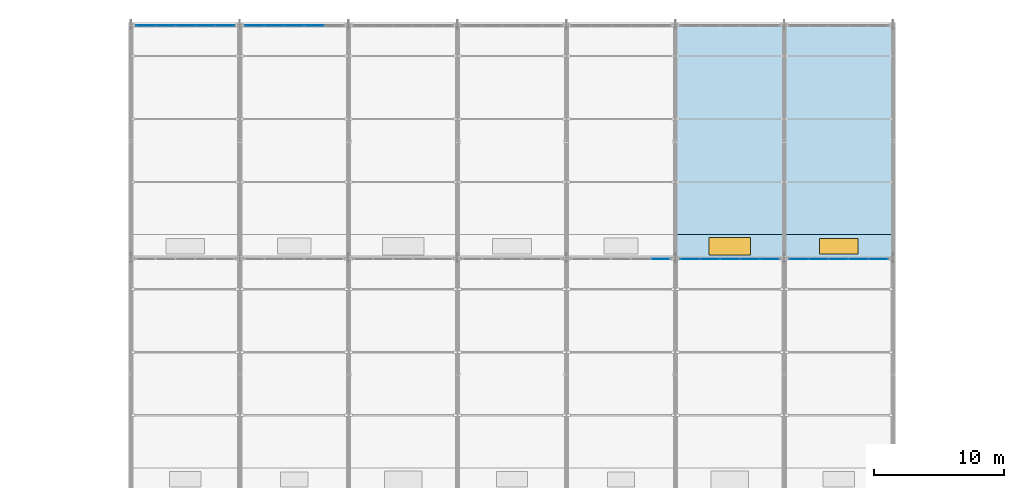
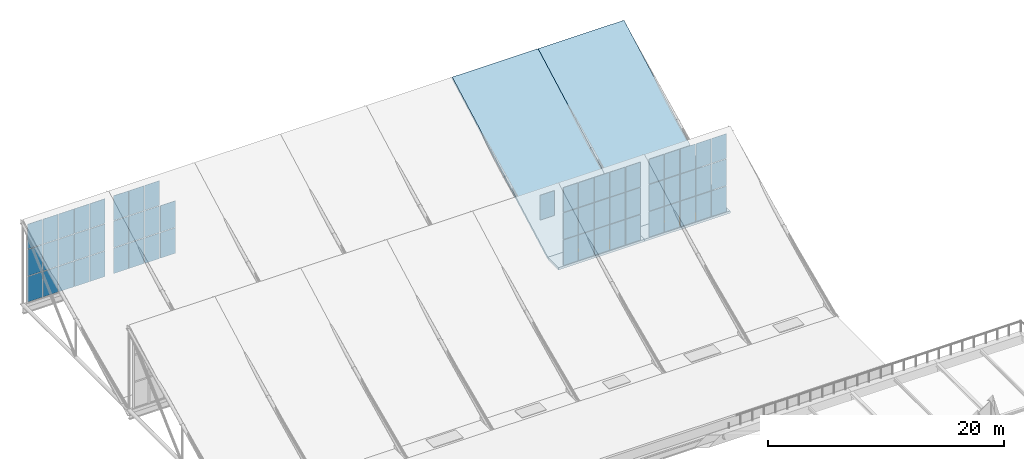
# One storey, part 31 of 38: 57 plates, 4 slabs, 2 windows, 2 openings, 5 elements without a shape of their own.
"""IFC4 building model written with IfcOpenShell, lengths in metres."""

from ifc_helpers import new_model, si_unit, direction, frame, origin, origin_2d, place, context, subcontext, project, spatial, polyline, rectangle, outline, extrude, material, layer, layer_set, type_object, element, fill, aggregate, save


model = new_model("IFC4")

# Units and contexts
model_context = context("Model", 3, precision=1e-05, world=origin(), true_north=direction((0.0, 1.0)))
body_context = subcontext(model_context, "Body", "Model", "MODEL_VIEW")
ifc_project = project(units=[si_unit("LENGTHUNIT", "METRE"), si_unit("AREAUNIT", "SQUARE_METRE"), si_unit("VOLUMEUNIT", "CUBIC_METRE"), si_unit("PLANEANGLEUNIT", "RADIAN"), si_unit("MASSUNIT", "GRAM", prefix="KILO")], contexts=[model_context])

# Site, building, storey
site_placement = place(None, origin())
site = spatial("IfcSite", under=ifc_project, at=site_placement, CompositionType="ELEMENT")
building_placement = place(site_placement, origin())
building = spatial("IfcBuilding", under=site, at=building_placement, Name="Veltarok Museum of Natural Sciences", CompositionType="ELEMENT")
storey_placement = place(building_placement, frame((0.0, 0.0, 31.199951171875)))
storey = spatial("IfcBuildingStorey", under=building, at=storey_placement, Name="RF", CompositionType="ELEMENT", Elevation=31.199951171875)

# Slab, opening, window
ifc_material_1 = material(Name="Concrete C35/45", Category="concrete")
ifc_layer_1 = layer(ifc_material_1, 0.239990234375)
ifc_layer_set_1 = layer_set([ifc_layer_1], Name="Concrete C35/45")
slab_type_1 = type_object("IfcSlabType", Name="Insulated Flat Wing Roof Slab 240", PredefinedType="ROOF", material=ifc_layer_set_1)
slab_1_placement = place(storey_placement, frame((0.0, 0.0, -6.0400390625)))
slab_1 = element("IfcSlab", 1, at=slab_1_placement, inside=storey, type_object=slab_type_1, Name="Sawtooth Valley Apron Slab 10-11 M2", PredefinedType="ROOF", context=body_context, shape_type="SweptSolid", body=[
    extrude(outline(polyline([(82.0, 54.0), (90.39990234375, 54.0), (90.39990234375, 55.800048828125), (82.0, 55.800048828125), (82.0, 54.0)])), origin(), (0.0, 0.0, 1.0), 0.239990234375),
])
opening_1_placement = place(slab_1_placement, frame((86.199951171875, 54.89990234375, -0.010009765625)))
opening_1 = element("IfcOpeningElement", 2, at=opening_1_placement, cuts=slab_1, Name="Opening SK-12", PredefinedType="OPENING", context=body_context, shape_type="SweptSolid", body=[
    extrude(rectangle(XDim=3.199951171875, YDim=1.35009765625, at=origin_2d()), origin(), (0.0, 0.0, 1.0), 0.320068359375),
])
ifc_material_2 = material(Name="Low-iron triple insulated glass", Category="glass")
window_type_1 = type_object("IfcWindowType", Name="Sawtooth Gallery Rooflight 3200x1350", PartitioningType="SINGLE_PANEL", PredefinedType="SKYLIGHT", material=ifc_material_2)
window_1_placement = place(slab_1_placement, frame((86.199951171875, 54.89990234375, 0.239990234375)))
window_1 = element("IfcWindow", 3, at=window_1_placement, inside=storey, type_object=window_type_1, Name="Sawtooth North Rooflight SK-12", OverallHeight=1.35009765625, OverallWidth=3.199951171875, PartitioningType="SINGLE_PANEL", PredefinedType="SKYLIGHT", context=body_context, shape_type="SweptSolid", body=[
    extrude(rectangle(XDim=3.199951171875, YDim=1.35009765625, at=origin_2d()), origin(), (0.0, 0.0, 1.0), 0.06005859375),
])
fill(opening_1, window_1)

slab_2_placement = place(storey_placement, frame((0.0, 0.0, -6.0400390625)))
slab_2 = element("IfcSlab", 4, at=slab_2_placement, inside=storey, type_object=slab_type_1, Name="Sawtooth Valley Apron Slab 11-12 M2", PredefinedType="ROOF", context=body_context, shape_type="SweptSolid", body=[
    extrude(outline(polyline([(90.39990234375, 54.0), (98.800048828125, 54.0), (98.800048828125, 55.800048828125), (90.39990234375, 55.800048828125), (90.39990234375, 54.0)])), origin(), (0.0, 0.0, 1.0), 0.239990234375),
])
opening_2_placement = place(slab_2_placement, frame((94.60009765625, 54.89990234375, -0.010009765625)))
opening_2 = element("IfcOpeningElement", 5, at=opening_2_placement, cuts=slab_2, Name="Opening SK-14", PredefinedType="OPENING", context=body_context, shape_type="SweptSolid", body=[
    extrude(rectangle(XDim=3.0, YDim=1.199951171875, at=origin_2d()), origin(), (0.0, 0.0, 1.0), 0.320068359375),
])
window_type_2 = type_object("IfcWindowType", Name="Sawtooth Atrium North Rooflight 3000x1200", PartitioningType="SINGLE_PANEL", PredefinedType="SKYLIGHT", material=ifc_material_2)
window_2_placement = place(slab_2_placement, frame((94.60009765625, 54.89990234375, 0.239990234375)))
window_2 = element("IfcWindow", 6, at=window_2_placement, inside=storey, type_object=window_type_2, Name="Sawtooth North Rooflight SK-14", OverallHeight=1.199951171875, OverallWidth=3.0, PartitioningType="SINGLE_PANEL", PredefinedType="SKYLIGHT", context=body_context, shape_type="SweptSolid", body=[
    extrude(rectangle(XDim=3.0, YDim=1.199951171875, at=origin_2d()), origin(), (0.0, 0.0, 1.0), 0.06005859375),
])
fill(opening_2, window_2)

# Curtain wall, plates
curtain_wall_type_1 = type_object("IfcCurtainWallType", Name="Curtain Wall System CW-SAW-M2-768x817 (Sawtooth North Clerestory M2 768x817cm)", PredefinedType="NOTDEFINED", material=ifc_material_2)
curtain_wall_1_placement = place(storey_placement, origin())
curtain_wall_1 = element("IfcCurtainWall", 7, at=curtain_wall_1_placement, inside=storey, type_object=curtain_wall_type_1, Name="Curtain Wall CW-SAW-M2-768x817 CW-SAW-0073", PredefinedType="NOTDEFINED")
ifc_layer_2 = layer(ifc_material_2, 0.031982421875)
ifc_layer_set_2 = layer_set([ifc_layer_2], Name="Low-iron triple insulated glass")
plate_type = type_object("IfcPlateType", Name="North-Light Diffusing Triple Glazed Panel 32", PredefinedType="CURTAIN_PANEL", material=ifc_layer_set_2)
plate_1_placement = place(storey_placement, frame((47.257080078125, 71.919921875, -5.659912109375), z_axis=(0.0, 0.0, 1.0), x_axis=(-1.0, 0.0, 0.0)))
plate_1 = element("IfcPlate", 8, at=plate_1_placement, type_object=plate_type, Name="CW-SAW-M2-768x817 panel 1.1", PredefinedType="CURTAIN_PANEL", context=body_context, shape_type="SweptSolid", body=[
    extrude(rectangle(XDim=1.446044921875, YDim=0.031982421875, at=origin_2d()), origin(), (0.0, 0.0, 1.0), 2.6298828125),
])
plate_2_placement = place(storey_placement, frame((47.257080078125, 71.919921875, -2.9697265625), z_axis=(0.0, 0.0, 1.0), x_axis=(-1.0, 0.0, 0.0)))
plate_2 = element("IfcPlate", 9, at=plate_2_placement, type_object=plate_type, Name="CW-SAW-M2-768x817 panel 1.2", PredefinedType="CURTAIN_PANEL", context=body_context, shape_type="SweptSolid", body=[
    extrude(rectangle(XDim=1.446044921875, YDim=0.031982421875, at=origin_2d()), origin(), (0.0, 0.0, 1.0), 2.739990234375),
])
plate_3_placement = place(storey_placement, frame((47.257080078125, 71.919921875, -0.169921875), z_axis=(0.0, 0.0, 1.0), x_axis=(-1.0, 0.0, 0.0)))
plate_3 = element("IfcPlate", 10, at=plate_3_placement, type_object=plate_type, Name="CW-SAW-M2-768x817 panel 1.3", PredefinedType="CURTAIN_PANEL", context=body_context, shape_type="SweptSolid", body=[
    extrude(rectangle(XDim=1.446044921875, YDim=0.031982421875, at=origin_2d()), origin(), (0.0, 0.0, 1.0), 2.56005859375),
])
plate_4_placement = place(storey_placement, frame((45.736083984375, 71.919921875, -5.659912109375), z_axis=(0.0, 0.0, 1.0), x_axis=(-1.0, 0.0, 0.0)))
plate_4 = element("IfcPlate", 11, at=plate_4_placement, type_object=plate_type, Name="CW-SAW-M2-768x817 panel 2.1", PredefinedType="CURTAIN_PANEL", context=body_context, shape_type="SweptSolid", body=[
    extrude(rectangle(XDim=1.47607421875, YDim=0.031982421875, at=origin_2d()), origin(), (0.0, 0.0, 1.0), 2.6298828125),
])
plate_5_placement = place(storey_placement, frame((45.736083984375, 71.919921875, -2.9697265625), z_axis=(0.0, 0.0, 1.0), x_axis=(-1.0, 0.0, 0.0)))
plate_5 = element("IfcPlate", 12, at=plate_5_placement, type_object=plate_type, Name="CW-SAW-M2-768x817 panel 2.2", PredefinedType="CURTAIN_PANEL", context=body_context, shape_type="SweptSolid", body=[
    extrude(rectangle(XDim=1.47607421875, YDim=0.031982421875, at=origin_2d()), origin(), (0.0, 0.0, 1.0), 2.739990234375),
])
plate_6_placement = place(storey_placement, frame((45.736083984375, 71.919921875, -0.169921875), z_axis=(0.0, 0.0, 1.0), x_axis=(-1.0, 0.0, 0.0)))
plate_6 = element("IfcPlate", 13, at=plate_6_placement, type_object=plate_type, Name="CW-SAW-M2-768x817 panel 2.3", PredefinedType="CURTAIN_PANEL", context=body_context, shape_type="SweptSolid", body=[
    extrude(rectangle(XDim=1.47607421875, YDim=0.031982421875, at=origin_2d()), origin(), (0.0, 0.0, 1.0), 2.56005859375),
])
plate_7_placement = place(storey_placement, frame((44.199951171875, 71.919921875, -5.659912109375), z_axis=(0.0, 0.0, 1.0), x_axis=(-1.0, 0.0, 0.0)))
plate_7 = element("IfcPlate", 14, at=plate_7_placement, type_object=plate_type, Name="CW-SAW-M2-768x817 panel 3.1", PredefinedType="CURTAIN_PANEL", context=body_context, shape_type="SweptSolid", body=[
    extrude(rectangle(XDim=1.47607421875, YDim=0.031982421875, at=origin_2d()), origin(), (0.0, 0.0, 1.0), 2.6298828125),
])
plate_8_placement = place(storey_placement, frame((44.199951171875, 71.919921875, -2.9697265625), z_axis=(0.0, 0.0, 1.0), x_axis=(-1.0, 0.0, 0.0)))
plate_8 = element("IfcPlate", 15, at=plate_8_placement, type_object=plate_type, Name="CW-SAW-M2-768x817 panel 3.2", PredefinedType="CURTAIN_PANEL", context=body_context, shape_type="SweptSolid", body=[
    extrude(rectangle(XDim=1.47607421875, YDim=0.031982421875, at=origin_2d()), origin(), (0.0, 0.0, 1.0), 2.739990234375),
])
plate_9_placement = place(storey_placement, frame((44.199951171875, 71.919921875, -0.169921875), z_axis=(0.0, 0.0, 1.0), x_axis=(-1.0, 0.0, 0.0)))
plate_9 = element("IfcPlate", 16, at=plate_9_placement, type_object=plate_type, Name="CW-SAW-M2-768x817 panel 3.3", PredefinedType="CURTAIN_PANEL", context=body_context, shape_type="SweptSolid", body=[
    extrude(rectangle(XDim=1.47607421875, YDim=0.031982421875, at=origin_2d()), origin(), (0.0, 0.0, 1.0), 2.56005859375),
])
plate_10_placement = place(storey_placement, frame((42.6640625, 71.919921875, -5.659912109375), z_axis=(0.0, 0.0, 1.0), x_axis=(-1.0, 0.0, 0.0)))
plate_10 = element("IfcPlate", 17, at=plate_10_placement, type_object=plate_type, Name="CW-SAW-M2-768x817 panel 4.1", PredefinedType="CURTAIN_PANEL", context=body_context, shape_type="SweptSolid", body=[
    extrude(rectangle(XDim=1.47607421875, YDim=0.031982421875, at=origin_2d()), origin(), (0.0, 0.0, 1.0), 2.6298828125),
])
plate_11_placement = place(storey_placement, frame((42.6640625, 71.919921875, -2.9697265625), z_axis=(0.0, 0.0, 1.0), x_axis=(-1.0, 0.0, 0.0)))
plate_11 = element("IfcPlate", 18, at=plate_11_placement, type_object=plate_type, Name="CW-SAW-M2-768x817 panel 4.2", PredefinedType="CURTAIN_PANEL", context=body_context, shape_type="SweptSolid", body=[
    extrude(rectangle(XDim=1.47607421875, YDim=0.031982421875, at=origin_2d()), origin(), (0.0, 0.0, 1.0), 2.739990234375),
])
plate_12_placement = place(storey_placement, frame((42.6640625, 71.919921875, -0.169921875), z_axis=(0.0, 0.0, 1.0), x_axis=(-1.0, 0.0, 0.0)))
plate_12 = element("IfcPlate", 19, at=plate_12_placement, type_object=plate_type, Name="CW-SAW-M2-768x817 panel 4.3", PredefinedType="CURTAIN_PANEL", context=body_context, shape_type="SweptSolid", body=[
    extrude(rectangle(XDim=1.47607421875, YDim=0.031982421875, at=origin_2d()), origin(), (0.0, 0.0, 1.0), 2.56005859375),
])
plate_13_placement = place(storey_placement, frame((41.14306640625, 71.919921875, -5.659912109375), z_axis=(0.0, 0.0, 1.0), x_axis=(-1.0, 0.0, 0.0)))
plate_13 = element("IfcPlate", 20, at=plate_13_placement, type_object=plate_type, Name="CW-SAW-M2-768x817 panel 5.1", PredefinedType="CURTAIN_PANEL", context=body_context, shape_type="SweptSolid", body=[
    extrude(rectangle(XDim=1.446044921875, YDim=0.031982421875, at=origin_2d()), origin(), (0.0, 0.0, 1.0), 2.6298828125),
])
plate_14_placement = place(storey_placement, frame((41.14306640625, 71.919921875, -2.9697265625), z_axis=(0.0, 0.0, 1.0), x_axis=(-1.0, 0.0, 0.0)))
plate_14 = element("IfcPlate", 21, at=plate_14_placement, type_object=plate_type, Name="CW-SAW-M2-768x817 panel 5.2", PredefinedType="CURTAIN_PANEL", context=body_context, shape_type="SweptSolid", body=[
    extrude(rectangle(XDim=1.446044921875, YDim=0.031982421875, at=origin_2d()), origin(), (0.0, 0.0, 1.0), 2.739990234375),
])
plate_15_placement = place(storey_placement, frame((41.14306640625, 71.919921875, -0.169921875), z_axis=(0.0, 0.0, 1.0), x_axis=(-1.0, 0.0, 0.0)))
plate_15 = element("IfcPlate", 22, at=plate_15_placement, type_object=plate_type, Name="CW-SAW-M2-768x817 panel 5.3", PredefinedType="CURTAIN_PANEL", context=body_context, shape_type="SweptSolid", body=[
    extrude(rectangle(XDim=1.446044921875, YDim=0.031982421875, at=origin_2d()), origin(), (0.0, 0.0, 1.0), 2.56005859375),
])
aggregate(curtain_wall_1, [plate_1, plate_2, plate_3, plate_4, plate_5, plate_6, plate_7, plate_8, plate_9, plate_10, plate_11, plate_12, plate_13, plate_14, plate_15])

curtain_wall_2_placement = place(storey_placement, origin())
curtain_wall_2 = element("IfcCurtainWall", 23, at=curtain_wall_2_placement, inside=storey, type_object=curtain_wall_type_1, Name="Curtain Wall CW-SAW-M2-768x817 CW-SAW-0075", PredefinedType="NOTDEFINED")
plate_16_placement = place(storey_placement, frame((54.135986328125, 71.919921875, -5.659912109375), z_axis=(0.0, 0.0, 1.0), x_axis=(-1.0, 0.0, 0.0)))
plate_16 = element("IfcPlate", 24, at=plate_16_placement, type_object=plate_type, Name="CW-SAW-M2-768x817 panel 2.1", PredefinedType="CURTAIN_PANEL", context=body_context, shape_type="SweptSolid", body=[
    extrude(rectangle(XDim=1.47607421875, YDim=0.031982421875, at=origin_2d()), origin(), (0.0, 0.0, 1.0), 2.6298828125),
])
plate_17_placement = place(storey_placement, frame((54.135986328125, 71.919921875, -2.9697265625), z_axis=(0.0, 0.0, 1.0), x_axis=(-1.0, 0.0, 0.0)))
plate_17 = element("IfcPlate", 25, at=plate_17_placement, type_object=plate_type, Name="CW-SAW-M2-768x817 panel 2.2", PredefinedType="CURTAIN_PANEL", context=body_context, shape_type="SweptSolid", body=[
    extrude(rectangle(XDim=1.47607421875, YDim=0.031982421875, at=origin_2d()), origin(), (0.0, 0.0, 1.0), 2.739990234375),
])
plate_18_placement = place(storey_placement, frame((52.60009765625, 71.919921875, -5.659912109375), z_axis=(0.0, 0.0, 1.0), x_axis=(-1.0, 0.0, 0.0)))
plate_18 = element("IfcPlate", 26, at=plate_18_placement, type_object=plate_type, Name="CW-SAW-M2-768x817 panel 3.1", PredefinedType="CURTAIN_PANEL", context=body_context, shape_type="SweptSolid", body=[
    extrude(rectangle(XDim=1.47607421875, YDim=0.031982421875, at=origin_2d()), origin(), (0.0, 0.0, 1.0), 2.6298828125),
])
plate_19_placement = place(storey_placement, frame((52.60009765625, 71.919921875, -2.9697265625), z_axis=(0.0, 0.0, 1.0), x_axis=(-1.0, 0.0, 0.0)))
plate_19 = element("IfcPlate", 27, at=plate_19_placement, type_object=plate_type, Name="CW-SAW-M2-768x817 panel 3.2", PredefinedType="CURTAIN_PANEL", context=body_context, shape_type="SweptSolid", body=[
    extrude(rectangle(XDim=1.47607421875, YDim=0.031982421875, at=origin_2d()), origin(), (0.0, 0.0, 1.0), 2.739990234375),
])
plate_20_placement = place(storey_placement, frame((52.60009765625, 71.919921875, -0.169921875), z_axis=(0.0, 0.0, 1.0), x_axis=(-1.0, 0.0, 0.0)))
plate_20 = element("IfcPlate", 28, at=plate_20_placement, type_object=plate_type, Name="CW-SAW-M2-768x817 panel 3.3", PredefinedType="CURTAIN_PANEL", context=body_context, shape_type="SweptSolid", body=[
    extrude(rectangle(XDim=1.47607421875, YDim=0.031982421875, at=origin_2d()), origin(), (0.0, 0.0, 1.0), 2.56005859375),
])
plate_21_placement = place(storey_placement, frame((51.06396484375, 71.919921875, -5.659912109375), z_axis=(0.0, 0.0, 1.0), x_axis=(-1.0, 0.0, 0.0)))
plate_21 = element("IfcPlate", 29, at=plate_21_placement, type_object=plate_type, Name="CW-SAW-M2-768x817 panel 4.1", PredefinedType="CURTAIN_PANEL", context=body_context, shape_type="SweptSolid", body=[
    extrude(rectangle(XDim=1.47607421875, YDim=0.031982421875, at=origin_2d()), origin(), (0.0, 0.0, 1.0), 2.6298828125),
])
plate_22_placement = place(storey_placement, frame((51.06396484375, 71.919921875, -2.9697265625), z_axis=(0.0, 0.0, 1.0), x_axis=(-1.0, 0.0, 0.0)))
plate_22 = element("IfcPlate", 30, at=plate_22_placement, type_object=plate_type, Name="CW-SAW-M2-768x817 panel 4.2", PredefinedType="CURTAIN_PANEL", context=body_context, shape_type="SweptSolid", body=[
    extrude(rectangle(XDim=1.47607421875, YDim=0.031982421875, at=origin_2d()), origin(), (0.0, 0.0, 1.0), 2.739990234375),
])
plate_23_placement = place(storey_placement, frame((51.06396484375, 71.919921875, -0.169921875), z_axis=(0.0, 0.0, 1.0), x_axis=(-1.0, 0.0, 0.0)))
plate_23 = element("IfcPlate", 31, at=plate_23_placement, type_object=plate_type, Name="CW-SAW-M2-768x817 panel 4.3", PredefinedType="CURTAIN_PANEL", context=body_context, shape_type="SweptSolid", body=[
    extrude(rectangle(XDim=1.47607421875, YDim=0.031982421875, at=origin_2d()), origin(), (0.0, 0.0, 1.0), 2.56005859375),
])
plate_24_placement = place(storey_placement, frame((49.54296875, 71.919921875, -5.659912109375), z_axis=(0.0, 0.0, 1.0), x_axis=(-1.0, 0.0, 0.0)))
plate_24 = element("IfcPlate", 32, at=plate_24_placement, type_object=plate_type, Name="CW-SAW-M2-768x817 panel 5.1", PredefinedType="CURTAIN_PANEL", context=body_context, shape_type="SweptSolid", body=[
    extrude(rectangle(XDim=1.446044921875, YDim=0.031982421875, at=origin_2d()), origin(), (0.0, 0.0, 1.0), 2.6298828125),
])
plate_25_placement = place(storey_placement, frame((49.54296875, 71.919921875, -2.9697265625), z_axis=(0.0, 0.0, 1.0), x_axis=(-1.0, 0.0, 0.0)))
plate_25 = element("IfcPlate", 33, at=plate_25_placement, type_object=plate_type, Name="CW-SAW-M2-768x817 panel 5.2", PredefinedType="CURTAIN_PANEL", context=body_context, shape_type="SweptSolid", body=[
    extrude(rectangle(XDim=1.446044921875, YDim=0.031982421875, at=origin_2d()), origin(), (0.0, 0.0, 1.0), 2.739990234375),
])
plate_26_placement = place(storey_placement, frame((49.54296875, 71.919921875, -0.169921875), z_axis=(0.0, 0.0, 1.0), x_axis=(-1.0, 0.0, 0.0)))
plate_26 = element("IfcPlate", 34, at=plate_26_placement, type_object=plate_type, Name="CW-SAW-M2-768x817 panel 5.3", PredefinedType="CURTAIN_PANEL", context=body_context, shape_type="SweptSolid", body=[
    extrude(rectangle(XDim=1.446044921875, YDim=0.031982421875, at=origin_2d()), origin(), (0.0, 0.0, 1.0), 2.56005859375),
])
aggregate(curtain_wall_2, [plate_16, plate_17, plate_18, plate_19, plate_20, plate_21, plate_22, plate_23, plate_24, plate_25, plate_26])

# Curtain wall, plate
curtain_wall_type_2 = type_object("IfcCurtainWallType", Name="Curtain Wall System CW-SAW-M1-768x817 (Sawtooth North Clerestory M1 768x817cm)", PredefinedType="NOTDEFINED", material=ifc_material_2)
curtain_wall_3_placement = place(storey_placement, origin())
curtain_wall_3 = element("IfcCurtainWall", 35, at=curtain_wall_3_placement, inside=storey, type_object=curtain_wall_type_2, Name="Curtain Wall CW-SAW-M1-768x817 CW-SAW-0080", PredefinedType="NOTDEFINED")
plate_27_placement = place(storey_placement, frame((80.85693359375, 53.919921875, -0.169921875), z_axis=(0.0, 0.0, 1.0), x_axis=(-1.0, 0.0, 0.0)))
plate_27 = element("IfcPlate", 36, at=plate_27_placement, type_object=plate_type, Name="CW-SAW-M1-768x817 panel 1.3", PredefinedType="CURTAIN_PANEL", context=body_context, shape_type="SweptSolid", body=[
    extrude(rectangle(XDim=1.446044921875, YDim=0.031982421875, at=origin_2d()), origin(), (0.0, 0.0, 1.0), 2.56005859375),
])
aggregate(curtain_wall_3, [plate_27])

# Curtain wall, plates
curtain_wall_4_placement = place(storey_placement, origin())
curtain_wall_4 = element("IfcCurtainWall", 37, at=curtain_wall_4_placement, inside=storey, type_object=curtain_wall_type_2, Name="Curtain Wall CW-SAW-M1-768x817 CW-SAW-0082", PredefinedType="NOTDEFINED")
plate_28_placement = place(storey_placement, frame((89.257080078125, 53.919921875, -5.659912109375), z_axis=(0.0, 0.0, 1.0), x_axis=(-1.0, 0.0, 0.0)))
plate_28 = element("IfcPlate", 38, at=plate_28_placement, type_object=plate_type, Name="CW-SAW-M1-768x817 panel 1.1", PredefinedType="CURTAIN_PANEL", context=body_context, shape_type="SweptSolid", body=[
    extrude(rectangle(XDim=1.446044921875, YDim=0.031982421875, at=origin_2d()), origin(), (0.0, 0.0, 1.0), 2.6298828125),
])
plate_29_placement = place(storey_placement, frame((89.257080078125, 53.919921875, -2.9697265625), z_axis=(0.0, 0.0, 1.0), x_axis=(-1.0, 0.0, 0.0)))
plate_29 = element("IfcPlate", 39, at=plate_29_placement, type_object=plate_type, Name="CW-SAW-M1-768x817 panel 1.2", PredefinedType="CURTAIN_PANEL", context=body_context, shape_type="SweptSolid", body=[
    extrude(rectangle(XDim=1.446044921875, YDim=0.031982421875, at=origin_2d()), origin(), (0.0, 0.0, 1.0), 2.739990234375),
])
plate_30_placement = place(storey_placement, frame((89.257080078125, 53.919921875, -0.169921875), z_axis=(0.0, 0.0, 1.0), x_axis=(-1.0, 0.0, 0.0)))
plate_30 = element("IfcPlate", 40, at=plate_30_placement, type_object=plate_type, Name="CW-SAW-M1-768x817 panel 1.3", PredefinedType="CURTAIN_PANEL", context=body_context, shape_type="SweptSolid", body=[
    extrude(rectangle(XDim=1.446044921875, YDim=0.031982421875, at=origin_2d()), origin(), (0.0, 0.0, 1.0), 2.56005859375),
])
plate_31_placement = place(storey_placement, frame((87.736083984375, 53.919921875, -5.659912109375), z_axis=(0.0, 0.0, 1.0), x_axis=(-1.0, 0.0, 0.0)))
plate_31 = element("IfcPlate", 41, at=plate_31_placement, type_object=plate_type, Name="CW-SAW-M1-768x817 panel 2.1", PredefinedType="CURTAIN_PANEL", context=body_context, shape_type="SweptSolid", body=[
    extrude(rectangle(XDim=1.47607421875, YDim=0.031982421875, at=origin_2d()), origin(), (0.0, 0.0, 1.0), 2.6298828125),
])
plate_32_placement = place(storey_placement, frame((87.736083984375, 53.919921875, -2.9697265625), z_axis=(0.0, 0.0, 1.0), x_axis=(-1.0, 0.0, 0.0)))
plate_32 = element("IfcPlate", 42, at=plate_32_placement, type_object=plate_type, Name="CW-SAW-M1-768x817 panel 2.2", PredefinedType="CURTAIN_PANEL", context=body_context, shape_type="SweptSolid", body=[
    extrude(rectangle(XDim=1.47607421875, YDim=0.031982421875, at=origin_2d()), origin(), (0.0, 0.0, 1.0), 2.739990234375),
])
plate_33_placement = place(storey_placement, frame((87.736083984375, 53.919921875, -0.169921875), z_axis=(0.0, 0.0, 1.0), x_axis=(-1.0, 0.0, 0.0)))
plate_33 = element("IfcPlate", 43, at=plate_33_placement, type_object=plate_type, Name="CW-SAW-M1-768x817 panel 2.3", PredefinedType="CURTAIN_PANEL", context=body_context, shape_type="SweptSolid", body=[
    extrude(rectangle(XDim=1.47607421875, YDim=0.031982421875, at=origin_2d()), origin(), (0.0, 0.0, 1.0), 2.56005859375),
])
plate_34_placement = place(storey_placement, frame((86.199951171875, 53.919921875, -5.659912109375), z_axis=(0.0, 0.0, 1.0), x_axis=(-1.0, 0.0, 0.0)))
plate_34 = element("IfcPlate", 44, at=plate_34_placement, type_object=plate_type, Name="CW-SAW-M1-768x817 panel 3.1", PredefinedType="CURTAIN_PANEL", context=body_context, shape_type="SweptSolid", body=[
    extrude(rectangle(XDim=1.47607421875, YDim=0.031982421875, at=origin_2d()), origin(), (0.0, 0.0, 1.0), 2.6298828125),
])
plate_35_placement = place(storey_placement, frame((86.199951171875, 53.919921875, -2.9697265625), z_axis=(0.0, 0.0, 1.0), x_axis=(-1.0, 0.0, 0.0)))
plate_35 = element("IfcPlate", 45, at=plate_35_placement, type_object=plate_type, Name="CW-SAW-M1-768x817 panel 3.2", PredefinedType="CURTAIN_PANEL", context=body_context, shape_type="SweptSolid", body=[
    extrude(rectangle(XDim=1.47607421875, YDim=0.031982421875, at=origin_2d()), origin(), (0.0, 0.0, 1.0), 2.739990234375),
])
plate_36_placement = place(storey_placement, frame((86.199951171875, 53.919921875, -0.169921875), z_axis=(0.0, 0.0, 1.0), x_axis=(-1.0, 0.0, 0.0)))
plate_36 = element("IfcPlate", 46, at=plate_36_placement, type_object=plate_type, Name="CW-SAW-M1-768x817 panel 3.3", PredefinedType="CURTAIN_PANEL", context=body_context, shape_type="SweptSolid", body=[
    extrude(rectangle(XDim=1.47607421875, YDim=0.031982421875, at=origin_2d()), origin(), (0.0, 0.0, 1.0), 2.56005859375),
])
plate_37_placement = place(storey_placement, frame((84.6640625, 53.919921875, -5.659912109375), z_axis=(0.0, 0.0, 1.0), x_axis=(-1.0, 0.0, 0.0)))
plate_37 = element("IfcPlate", 47, at=plate_37_placement, type_object=plate_type, Name="CW-SAW-M1-768x817 panel 4.1", PredefinedType="CURTAIN_PANEL", context=body_context, shape_type="SweptSolid", body=[
    extrude(rectangle(XDim=1.47607421875, YDim=0.031982421875, at=origin_2d()), origin(), (0.0, 0.0, 1.0), 2.6298828125),
])
plate_38_placement = place(storey_placement, frame((84.6640625, 53.919921875, -2.9697265625), z_axis=(0.0, 0.0, 1.0), x_axis=(-1.0, 0.0, 0.0)))
plate_38 = element("IfcPlate", 48, at=plate_38_placement, type_object=plate_type, Name="CW-SAW-M1-768x817 panel 4.2", PredefinedType="CURTAIN_PANEL", context=body_context, shape_type="SweptSolid", body=[
    extrude(rectangle(XDim=1.47607421875, YDim=0.031982421875, at=origin_2d()), origin(), (0.0, 0.0, 1.0), 2.739990234375),
])
plate_39_placement = place(storey_placement, frame((84.6640625, 53.919921875, -0.169921875), z_axis=(0.0, 0.0, 1.0), x_axis=(-1.0, 0.0, 0.0)))
plate_39 = element("IfcPlate", 49, at=plate_39_placement, type_object=plate_type, Name="CW-SAW-M1-768x817 panel 4.3", PredefinedType="CURTAIN_PANEL", context=body_context, shape_type="SweptSolid", body=[
    extrude(rectangle(XDim=1.47607421875, YDim=0.031982421875, at=origin_2d()), origin(), (0.0, 0.0, 1.0), 2.56005859375),
])
plate_40_placement = place(storey_placement, frame((83.14306640625, 53.919921875, -5.659912109375), z_axis=(0.0, 0.0, 1.0), x_axis=(-1.0, 0.0, 0.0)))
plate_40 = element("IfcPlate", 50, at=plate_40_placement, type_object=plate_type, Name="CW-SAW-M1-768x817 panel 5.1", PredefinedType="CURTAIN_PANEL", context=body_context, shape_type="SweptSolid", body=[
    extrude(rectangle(XDim=1.446044921875, YDim=0.031982421875, at=origin_2d()), origin(), (0.0, 0.0, 1.0), 2.6298828125),
])
plate_41_placement = place(storey_placement, frame((83.14306640625, 53.919921875, -2.9697265625), z_axis=(0.0, 0.0, 1.0), x_axis=(-1.0, 0.0, 0.0)))
plate_41 = element("IfcPlate", 51, at=plate_41_placement, type_object=plate_type, Name="CW-SAW-M1-768x817 panel 5.2", PredefinedType="CURTAIN_PANEL", context=body_context, shape_type="SweptSolid", body=[
    extrude(rectangle(XDim=1.446044921875, YDim=0.031982421875, at=origin_2d()), origin(), (0.0, 0.0, 1.0), 2.739990234375),
])
plate_42_placement = place(storey_placement, frame((83.14306640625, 53.919921875, -0.169921875), z_axis=(0.0, 0.0, 1.0), x_axis=(-1.0, 0.0, 0.0)))
plate_42 = element("IfcPlate", 52, at=plate_42_placement, type_object=plate_type, Name="CW-SAW-M1-768x817 panel 5.3", PredefinedType="CURTAIN_PANEL", context=body_context, shape_type="SweptSolid", body=[
    extrude(rectangle(XDim=1.446044921875, YDim=0.031982421875, at=origin_2d()), origin(), (0.0, 0.0, 1.0), 2.56005859375),
])
aggregate(curtain_wall_4, [plate_28, plate_29, plate_30, plate_31, plate_32, plate_33, plate_34, plate_35, plate_36, plate_37, plate_38, plate_39, plate_40, plate_41, plate_42])

curtain_wall_5_placement = place(storey_placement, origin())
curtain_wall_5 = element("IfcCurtainWall", 53, at=curtain_wall_5_placement, inside=storey, type_object=curtain_wall_type_2, Name="Curtain Wall CW-SAW-M1-768x817 CW-SAW-0084", PredefinedType="NOTDEFINED")
plate_43_placement = place(storey_placement, frame((97.656982421875, 53.919921875, -5.659912109375), z_axis=(0.0, 0.0, 1.0), x_axis=(-1.0, 0.0, 0.0)))
plate_43 = element("IfcPlate", 54, at=plate_43_placement, type_object=plate_type, Name="CW-SAW-M1-768x817 panel 1.1", PredefinedType="CURTAIN_PANEL", context=body_context, shape_type="SweptSolid", body=[
    extrude(rectangle(XDim=1.446044921875, YDim=0.031982421875, at=origin_2d()), origin(), (0.0, 0.0, 1.0), 2.6298828125),
])
plate_44_placement = place(storey_placement, frame((97.656982421875, 53.919921875, -2.9697265625), z_axis=(0.0, 0.0, 1.0), x_axis=(-1.0, 0.0, 0.0)))
plate_44 = element("IfcPlate", 55, at=plate_44_placement, type_object=plate_type, Name="CW-SAW-M1-768x817 panel 1.2", PredefinedType="CURTAIN_PANEL", context=body_context, shape_type="SweptSolid", body=[
    extrude(rectangle(XDim=1.446044921875, YDim=0.031982421875, at=origin_2d()), origin(), (0.0, 0.0, 1.0), 2.739990234375),
])
plate_45_placement = place(storey_placement, frame((97.656982421875, 53.919921875, -0.169921875), z_axis=(0.0, 0.0, 1.0), x_axis=(-1.0, 0.0, 0.0)))
plate_45 = element("IfcPlate", 56, at=plate_45_placement, type_object=plate_type, Name="CW-SAW-M1-768x817 panel 1.3", PredefinedType="CURTAIN_PANEL", context=body_context, shape_type="SweptSolid", body=[
    extrude(rectangle(XDim=1.446044921875, YDim=0.031982421875, at=origin_2d()), origin(), (0.0, 0.0, 1.0), 2.56005859375),
])
plate_46_placement = place(storey_placement, frame((96.135986328125, 53.919921875, -5.659912109375), z_axis=(0.0, 0.0, 1.0), x_axis=(-1.0, 0.0, 0.0)))
plate_46 = element("IfcPlate", 57, at=plate_46_placement, type_object=plate_type, Name="CW-SAW-M1-768x817 panel 2.1", PredefinedType="CURTAIN_PANEL", context=body_context, shape_type="SweptSolid", body=[
    extrude(rectangle(XDim=1.47607421875, YDim=0.031982421875, at=origin_2d()), origin(), (0.0, 0.0, 1.0), 2.6298828125),
])
plate_47_placement = place(storey_placement, frame((96.135986328125, 53.919921875, -2.9697265625), z_axis=(0.0, 0.0, 1.0), x_axis=(-1.0, 0.0, 0.0)))
plate_47 = element("IfcPlate", 58, at=plate_47_placement, type_object=plate_type, Name="CW-SAW-M1-768x817 panel 2.2", PredefinedType="CURTAIN_PANEL", context=body_context, shape_type="SweptSolid", body=[
    extrude(rectangle(XDim=1.47607421875, YDim=0.031982421875, at=origin_2d()), origin(), (0.0, 0.0, 1.0), 2.739990234375),
])
plate_48_placement = place(storey_placement, frame((96.135986328125, 53.919921875, -0.169921875), z_axis=(0.0, 0.0, 1.0), x_axis=(-1.0, 0.0, 0.0)))
plate_48 = element("IfcPlate", 59, at=plate_48_placement, type_object=plate_type, Name="CW-SAW-M1-768x817 panel 2.3", PredefinedType="CURTAIN_PANEL", context=body_context, shape_type="SweptSolid", body=[
    extrude(rectangle(XDim=1.47607421875, YDim=0.031982421875, at=origin_2d()), origin(), (0.0, 0.0, 1.0), 2.56005859375),
])
plate_49_placement = place(storey_placement, frame((94.60009765625, 53.919921875, -5.659912109375), z_axis=(0.0, 0.0, 1.0), x_axis=(-1.0, 0.0, 0.0)))
plate_49 = element("IfcPlate", 60, at=plate_49_placement, type_object=plate_type, Name="CW-SAW-M1-768x817 panel 3.1", PredefinedType="CURTAIN_PANEL", context=body_context, shape_type="SweptSolid", body=[
    extrude(rectangle(XDim=1.47607421875, YDim=0.031982421875, at=origin_2d()), origin(), (0.0, 0.0, 1.0), 2.6298828125),
])
plate_50_placement = place(storey_placement, frame((94.60009765625, 53.919921875, -2.9697265625), z_axis=(0.0, 0.0, 1.0), x_axis=(-1.0, 0.0, 0.0)))
plate_50 = element("IfcPlate", 61, at=plate_50_placement, type_object=plate_type, Name="CW-SAW-M1-768x817 panel 3.2", PredefinedType="CURTAIN_PANEL", context=body_context, shape_type="SweptSolid", body=[
    extrude(rectangle(XDim=1.47607421875, YDim=0.031982421875, at=origin_2d()), origin(), (0.0, 0.0, 1.0), 2.739990234375),
])
plate_51_placement = place(storey_placement, frame((94.60009765625, 53.919921875, -0.169921875), z_axis=(0.0, 0.0, 1.0), x_axis=(-1.0, 0.0, 0.0)))
plate_51 = element("IfcPlate", 62, at=plate_51_placement, type_object=plate_type, Name="CW-SAW-M1-768x817 panel 3.3", PredefinedType="CURTAIN_PANEL", context=body_context, shape_type="SweptSolid", body=[
    extrude(rectangle(XDim=1.47607421875, YDim=0.031982421875, at=origin_2d()), origin(), (0.0, 0.0, 1.0), 2.56005859375),
])
plate_52_placement = place(storey_placement, frame((93.06396484375, 53.919921875, -5.659912109375), z_axis=(0.0, 0.0, 1.0), x_axis=(-1.0, 0.0, 0.0)))
plate_52 = element("IfcPlate", 63, at=plate_52_placement, type_object=plate_type, Name="CW-SAW-M1-768x817 panel 4.1", PredefinedType="CURTAIN_PANEL", context=body_context, shape_type="SweptSolid", body=[
    extrude(rectangle(XDim=1.47607421875, YDim=0.031982421875, at=origin_2d()), origin(), (0.0, 0.0, 1.0), 2.6298828125),
])
plate_53_placement = place(storey_placement, frame((93.06396484375, 53.919921875, -2.9697265625), z_axis=(0.0, 0.0, 1.0), x_axis=(-1.0, 0.0, 0.0)))
plate_53 = element("IfcPlate", 64, at=plate_53_placement, type_object=plate_type, Name="CW-SAW-M1-768x817 panel 4.2", PredefinedType="CURTAIN_PANEL", context=body_context, shape_type="SweptSolid", body=[
    extrude(rectangle(XDim=1.47607421875, YDim=0.031982421875, at=origin_2d()), origin(), (0.0, 0.0, 1.0), 2.739990234375),
])
plate_54_placement = place(storey_placement, frame((93.06396484375, 53.919921875, -0.169921875), z_axis=(0.0, 0.0, 1.0), x_axis=(-1.0, 0.0, 0.0)))
plate_54 = element("IfcPlate", 65, at=plate_54_placement, type_object=plate_type, Name="CW-SAW-M1-768x817 panel 4.3", PredefinedType="CURTAIN_PANEL", context=body_context, shape_type="SweptSolid", body=[
    extrude(rectangle(XDim=1.47607421875, YDim=0.031982421875, at=origin_2d()), origin(), (0.0, 0.0, 1.0), 2.56005859375),
])
plate_55_placement = place(storey_placement, frame((91.54296875, 53.919921875, -5.659912109375), z_axis=(0.0, 0.0, 1.0), x_axis=(-1.0, 0.0, 0.0)))
plate_55 = element("IfcPlate", 66, at=plate_55_placement, type_object=plate_type, Name="CW-SAW-M1-768x817 panel 5.1", PredefinedType="CURTAIN_PANEL", context=body_context, shape_type="SweptSolid", body=[
    extrude(rectangle(XDim=1.446044921875, YDim=0.031982421875, at=origin_2d()), origin(), (0.0, 0.0, 1.0), 2.6298828125),
])
plate_56_placement = place(storey_placement, frame((91.54296875, 53.919921875, -2.9697265625), z_axis=(0.0, 0.0, 1.0), x_axis=(-1.0, 0.0, 0.0)))
plate_56 = element("IfcPlate", 67, at=plate_56_placement, type_object=plate_type, Name="CW-SAW-M1-768x817 panel 5.2", PredefinedType="CURTAIN_PANEL", context=body_context, shape_type="SweptSolid", body=[
    extrude(rectangle(XDim=1.446044921875, YDim=0.031982421875, at=origin_2d()), origin(), (0.0, 0.0, 1.0), 2.739990234375),
])
plate_57_placement = place(storey_placement, frame((91.54296875, 53.919921875, -0.169921875), z_axis=(0.0, 0.0, 1.0), x_axis=(-1.0, 0.0, 0.0)))
plate_57 = element("IfcPlate", 68, at=plate_57_placement, type_object=plate_type, Name="CW-SAW-M1-768x817 panel 5.3", PredefinedType="CURTAIN_PANEL", context=body_context, shape_type="SweptSolid", body=[
    extrude(rectangle(XDim=1.446044921875, YDim=0.031982421875, at=origin_2d()), origin(), (0.0, 0.0, 1.0), 2.56005859375),
])
aggregate(curtain_wall_5, [plate_43, plate_44, plate_45, plate_46, plate_47, plate_48, plate_49, plate_50, plate_51, plate_52, plate_53, plate_54, plate_55, plate_56, plate_57])

# Slabs
ifc_material_3 = material(Name="Precast concrete C40/50", Category="concrete")
ifc_layer_3 = layer(ifc_material_3, 0.219970703125)
ifc_layer_set_3 = layer_set([ifc_layer_3], Name="Precast concrete C40/50")
slab_type_2 = type_object("IfcSlabType", Name="Sawtooth North-Light Sloped Roof Deck 220", PredefinedType="ROOF", material=ifc_layer_set_3)
slab_3_placement = place(storey_placement, frame((82.0, 55.800048828125, -5.800048828125), z_axis=(0.0, -0.477334405559, 0.878721722316), x_axis=(1.0, 0.0, 0.0)))
element("IfcSlab", 69, at=slab_3_placement, inside=storey, type_object=slab_type_2, Name="Sawtooth Sloped Roof Slab 10-11 M2", PredefinedType="ROOF", context=body_context, shape_type="SweptSolid", body=[
    extrude(outline(polyline([(0.0, 0.0), (8.39990234375, 0.0), (8.39990234375, 18.435815071444992), (0.0, 18.435815071444992), (0.0, 0.0)])), origin(), (0.0, 0.0, -1.0), 0.219970703125),
])
slab_4_placement = place(storey_placement, frame((90.39990234375, 55.800048828125, -5.800048828125), z_axis=(0.0, -0.477334405559, 0.878721722316), x_axis=(1.0, 0.0, 0.0)))
element("IfcSlab", 70, at=slab_4_placement, inside=storey, type_object=slab_type_2, Name="Sawtooth Sloped Roof Slab 11-12 M2", PredefinedType="ROOF", context=body_context, shape_type="SweptSolid", body=[
    extrude(outline(polyline([(0.0, 0.0), (8.400146484375, 0.0), (8.400146484375, 18.435815071444992), (0.0, 18.435815071444992), (0.0, 0.0)])), origin(), (0.0, 0.0, -1.0), 0.219970703125),
])

save(model, "model.ifc")
